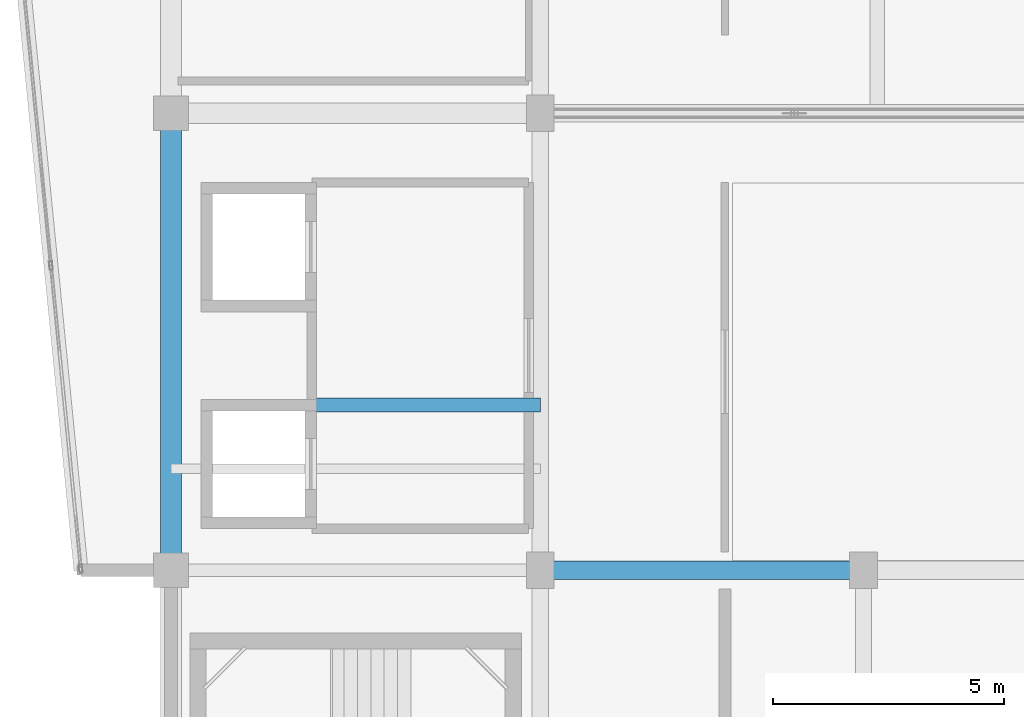
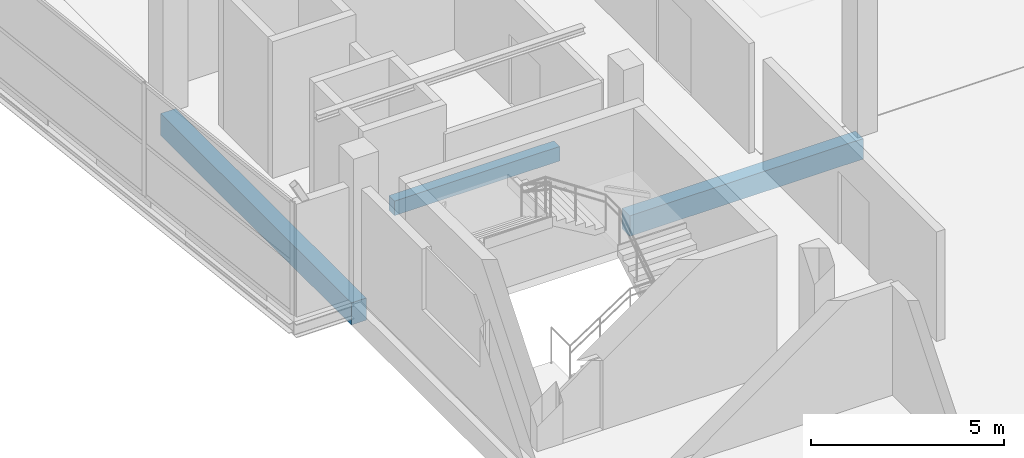
# One storey, part 7 of 49: 3 beams.
"""IFC4 building model written with IfcOpenShell, lengths in metres."""

from ifc_helpers import new_model, si_unit, direction, frame, origin, origin_2d, place, context, subcontext, project, spatial, rectangle, extrude, material, material_profile, profile_set, type_object, element, save


model = new_model("IFC4")

# Units and contexts
model_context = context("Model", 3, precision=1e-05, world=origin(), true_north=direction((0.0, 1.0)))
body_context = subcontext(model_context, "Body", "Model", "MODEL_VIEW")
ifc_project = project(units=[si_unit("LENGTHUNIT", "METRE"), si_unit("AREAUNIT", "SQUARE_METRE"), si_unit("VOLUMEUNIT", "CUBIC_METRE"), si_unit("PLANEANGLEUNIT", "RADIAN"), si_unit("MASSUNIT", "GRAM", prefix="KILO")], contexts=[model_context])

# Site, building, storey
site_placement = place(None, origin())
site = spatial("IfcSite", under=ifc_project, at=site_placement, CompositionType="ELEMENT")
building_placement = place(site_placement, origin())
building = spatial("IfcBuilding", under=site, at=building_placement, Name="Sillaruma Civic Art Gallery", CompositionType="ELEMENT")
storey_placement = place(building_placement, frame((0.0, 0.0, 33.14990234375)))
storey = spatial("IfcBuildingStorey", under=building, at=storey_placement, Name="L06", CompositionType="ELEMENT", Elevation=33.14990234375)

# Beams
ifc_material = material(Name="Concrete H35 (35 MPa)", Category="concrete")
ifc_material_profile_1 = material_profile(ifc_material, rectangle(XDim=0.39990234375, YDim=0.64990234375, at=origin_2d()), Name="RCB400x650")
ifc_profile_set_1 = profile_set([ifc_material_profile_1], Name="Concrete H35 (35 MPa)")
beam_type_1 = type_object("IfcBeamType", Name="BM-BEAM-RCB400x650", PredefinedType="BEAM", material=ifc_profile_set_1)
beam_1_placement = place(storey_placement, frame((70.0, 39.60009765625, -0.56494140625), z_axis=(1.0, 0.0, 0.0), x_axis=(0.0, 1.0, 0.0)))
element("IfcBeam", 1, at=beam_1_placement, inside=storey, type_object=beam_type_1, Name="Beam BM-05 (L05:5:G-H)", PredefinedType="BEAM", context=body_context, shape_type="SweptSolid", body=[
    extrude(rectangle(XDim=0.39990234375, YDim=0.64990234375, at=origin_2d()), origin(), (0.0, 0.0, 1.0), 7.0),
])
ifc_material_profile_2 = material_profile(ifc_material, rectangle(XDim=0.300048828125, YDim=0.4599609375, at=origin_2d()), Name="RCB300x460")
ifc_profile_set_2 = profile_set([ifc_material_profile_2], Name="Concrete H35 (35 MPa)")
beam_type_2 = type_object("IfcBeamType", Name="BM-LINTEL-RCB300x460", PredefinedType="LINTEL", material=ifc_profile_set_2)
beam_2_placement = place(storey_placement, frame((65.050048828125, 43.179931640625, -0.469970703125), z_axis=(1.0, 0.0, 0.0), x_axis=(0.0, 1.0, 0.0)))
element("IfcBeam", 2, at=beam_2_placement, inside=storey, type_object=beam_type_2, Name="Core Portal Coupling Lintel BL-01 (L05:PL1)", PredefinedType="LINTEL", context=body_context, shape_type="SweptSolid", body=[
    extrude(rectangle(XDim=0.300048828125, YDim=0.4599609375, at=origin_2d()), origin(), (0.0, 0.0, 1.0), 4.949951171875),
])
ifc_material_profile_3 = material_profile(ifc_material, rectangle(XDim=0.449951171875, YDim=0.699951171875, at=origin_2d()), Name="RCB450x700")
ifc_profile_set_3 = profile_set([ifc_material_profile_3], Name="Concrete H35 (35 MPa)")
beam_type_3 = type_object("IfcBeamType", Name="BM-SPANDREL-RCB450x700", PredefinedType="SPANDREL", material=ifc_profile_set_3)
beam_3_placement = place(storey_placement, frame((62.0, 39.60009765625, -0.58984375), z_axis=(0.0, 1.0, 0.0), x_axis=(-1.0, 0.0, 0.0)))
element("IfcBeam", 3, at=beam_3_placement, inside=storey, type_object=beam_type_3, Name="Beam BS-03 (L05:F:5-6)", PredefinedType="SPANDREL", context=body_context, shape_type="SweptSolid", body=[
    extrude(rectangle(XDim=0.449951171875, YDim=0.699951171875, at=origin_2d()), origin(), (0.0, 0.0, 1.0), 9.89990234375),
])

save(model, "model.ifc")
